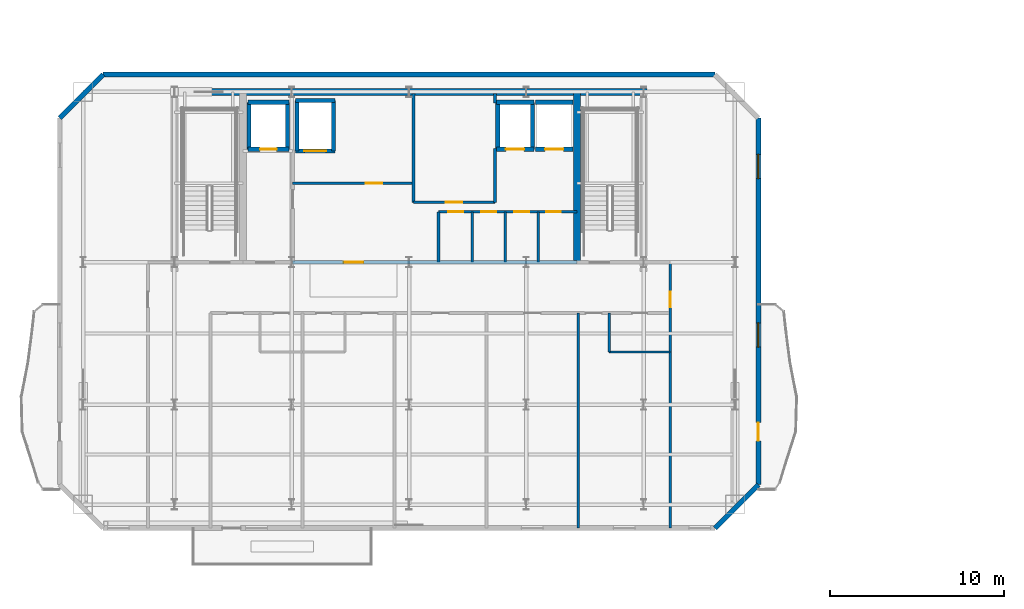
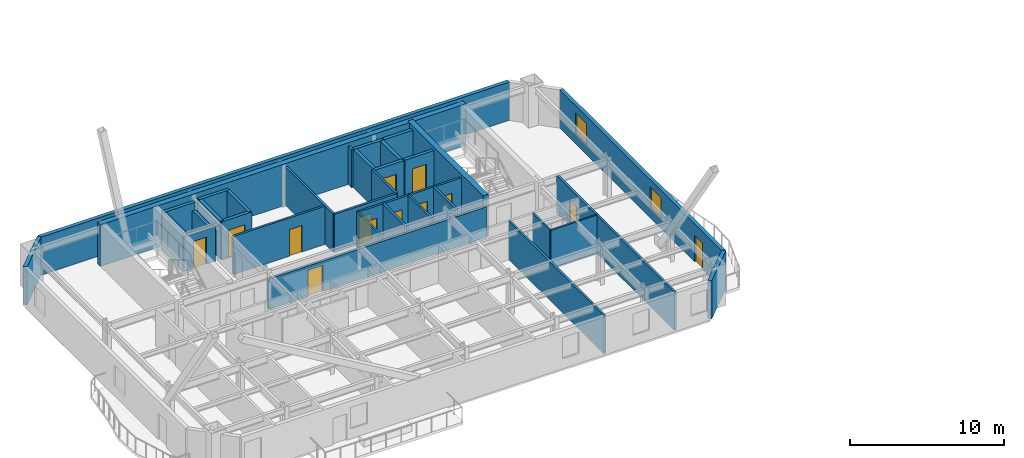
# One storey, part 6 of 14: 35 walls, 13 doors, 2 windows, 15 openings.
"""IFC4 building model written with IfcOpenShell, lengths in metres."""

from ifc_helpers import new_model, si_unit, direction, frame, frame_2d, origin, place, context, subcontext, project, spatial, rectangle, extrude, material, layer, layer_set, type_object, element, fill, save


model = new_model("IFC4")

# Units and contexts
model_context = context("Model", 3, precision=1e-05, world=origin(), true_north=direction((0.0, 1.0)))
body_context = subcontext(model_context, "Body", "Model", "MODEL_VIEW")
ifc_project = project(units=[si_unit("LENGTHUNIT", "METRE"), si_unit("AREAUNIT", "SQUARE_METRE"), si_unit("VOLUMEUNIT", "CUBIC_METRE"), si_unit("PLANEANGLEUNIT", "RADIAN"), si_unit("MASSUNIT", "GRAM", prefix="KILO")], contexts=[model_context])

# Site, building, storey
site_placement = place(None, origin())
site = spatial("IfcSite", under=ifc_project, at=site_placement, CompositionType="ELEMENT")
building_placement = place(site_placement, origin())
building = spatial("IfcBuilding", under=site, at=building_placement, Name="Haevon Station Towers", CompositionType="ELEMENT")
storey_placement = place(building_placement, frame((0.0, 0.0, 228.60009765625)))
storey = spatial("IfcBuildingStorey", under=building, at=storey_placement, Name="L63", CompositionType="ELEMENT", Elevation=228.60009765625)

# Wall, opening, door
ifc_material_1 = material(Name="Gypsum board on steel stud", Category="steel")
ifc_layer_1 = layer(ifc_material_1, 0.199951171875)
ifc_layer_set_1 = layer_set([ifc_layer_1], Name="Gypsum board on steel stud")
wall_type_1 = type_object("IfcWallType", Name="WL-COR200", PredefinedType="PARTITIONING", material=ifc_layer_set_1)
wall_1_placement = place(storey_placement, frame((30.800048828125, 38.199951171875, 0.0), z_axis=(0.0, 0.0, 1.0), x_axis=(1.0, 0.0, 0.0)))
wall_1 = element("IfcWall", 1, at=wall_1_placement, inside=storey, type_object=wall_type_1, Name="WL-T1CLB-L63", PredefinedType="PARTITIONING", context=body_context, shape_type="SweptSolid", body=[
    extrude(rectangle(XDim=16.349853515625, YDim=0.199951171875, at=frame_2d((8.1748046875, 0.0))), origin(), (0.0, 0.0, 1.0), 2.429931640625),
])
opening_1_placement = place(wall_1_placement, frame((2.949951171875, 0.0, 0.0)))
opening_1 = element("IfcOpeningElement", 2, at=opening_1_placement, cuts=wall_1, Name="Opening DR-T1CLB-L63-1", PredefinedType="OPENING", context=body_context, shape_type="SweptSolid", body=[
    extrude(rectangle(XDim=1.1201171875, YDim=2.10009765625, at=frame_2d((0.56005859375, 1.050048828125))), frame((0.0, 0.10986328125, 0.0), z_axis=(0.0, -1.0, 0.0), x_axis=(1.0, 0.0, 0.0)), (0.0, 0.0, 1.0), 0.219970703125),
])
ifc_material_2 = material(Name="Engineered oak timber", Category="wood")
door_type_1 = type_object("IfcDoorType", Name="DR-ST-1120", OperationType="NOTDEFINED", PredefinedType="DOOR", material=ifc_material_2)
door_1_placement = place(opening_1_placement, origin())
door_1 = element("IfcDoor", 3, at=door_1_placement, inside=storey, type_object=door_type_1, Name="L63 Tower 1 Core Lift Lobby Door 1", OperationType="SINGLE_SWING_RIGHT", OverallHeight=2.10009765625, OverallWidth=1.1201171875, PredefinedType="DOOR", context=body_context, shape_type="SweptSolid", body=[
    extrude(rectangle(XDim=1.1201171875, YDim=2.10009765625, at=frame_2d((0.56005859375, 1.050048828125))), frame((0.0, 0.02490234375, 0.0), z_axis=(0.0, -1.0, 0.0), x_axis=(1.0, 0.0, 0.0)), (0.0, 0.0, 1.0), 0.050048828125),
])
fill(opening_1, door_1)

# Walls
ifc_material_3 = material(Name="Concrete C60/75", Category="concrete")
ifc_layer_2 = layer(ifc_material_3, 0.39990234375)
ifc_layer_set_2 = layer_set([ifc_layer_2], Name="Concrete C60/75")
wall_type_2 = type_object("IfcWallType", Name="WL-CR400", PredefinedType="SHEAR", material=ifc_layer_set_2)
wall_2_placement = place(storey_placement, frame((23.800048828125, 48.0, 0.0), z_axis=(0.0, 0.0, 1.0), x_axis=(1.0, 0.0, 0.0)))
element("IfcWall", 4, at=wall_2_placement, inside=storey, type_object=wall_type_2, Name="WL-T1CR-L63-N", PredefinedType="SHEAR", context=body_context, shape_type="SweptSolid", body=[
    extrude(rectangle(XDim=27.39990234375, YDim=0.39990234375, at=frame_2d((13.699951171875, 0.0))), origin(), (0.0, 0.0, 1.0), 3.2998046875),
])
wall_3_placement = place(storey_placement, frame((47.14990234375, 38.199951171875, 0.0), z_axis=(0.0, 0.0, 1.0), x_axis=(0.0, 1.0, 0.0)))
element("IfcWall", 5, at=wall_3_placement, inside=storey, type_object=wall_type_2, Name="WL-T1CR-L63-M2", PredefinedType="SHEAR", context=body_context, shape_type="SweptSolid", body=[
    extrude(rectangle(XDim=9.800048828125, YDim=0.39990234375, at=frame_2d((4.89990234375, 0.0))), origin(), (0.0, 0.0, 1.0), 3.2998046875),
])
ifc_material_4 = material(Name="Precast concrete C45/55", Category="concrete")
ifc_layer_3 = layer(ifc_material_4, 0.280029296875)
ifc_layer_set_3 = layer_set([ifc_layer_3], Name="Precast concrete C45/55")
wall_type_3 = type_object("IfcWallType", Name="WL-EXT-PIER280", PredefinedType="SOLIDWALL", material=ifc_layer_set_3)
wall_4_placement = place(storey_placement, frame((17.39990234375, 46.5, 0.0), z_axis=(0.0, 0.0, 1.0), x_axis=(0.707106781187, 0.707106781187, 0.0)))
element("IfcWall", 6, at=wall_4_placement, inside=storey, type_object=wall_type_3, Name="WL-T1-L63-NWC", PredefinedType="SOLIDWALL", context=body_context, shape_type="SweptSolid", body=[
    extrude(rectangle(XDim=3.53564453125, YDim=0.280029296875, at=frame_2d((1.767822265625, 0.0))), origin(), (0.0, 0.0, 1.0), 3.02978515625),
])
wall_5_placement = place(storey_placement, frame((19.89990234375, 49.0, 0.0), z_axis=(0.0, 0.0, 1.0), x_axis=(1.0, 0.0, 0.0)))
element("IfcWall", 7, at=wall_5_placement, inside=storey, type_object=wall_type_3, Name="WL-T1-L63-N", PredefinedType="SOLIDWALL", context=body_context, shape_type="SweptSolid", body=[
    extrude(rectangle(XDim=35.2001953125, YDim=0.280029296875, at=frame_2d((17.60009765625, 0.0))), origin(), (0.0, 0.0, 1.0), 3.02978515625),
])

# Wall, openings, door, windows
wall_6_placement = place(storey_placement, frame((57.60009765625, 46.5, 0.0), z_axis=(0.0, 0.0, 1.0), x_axis=(0.0, -1.0, 0.0)))
wall_6 = element("IfcWall", 8, at=wall_6_placement, inside=storey, type_object=wall_type_3, Name="WL-T1-L63-E", PredefinedType="SOLIDWALL", context=body_context, shape_type="SweptSolid", body=[
    extrude(rectangle(XDim=21.10009765625, YDim=0.280029296875, at=frame_2d((10.550048828125, 0.0))), origin(), (0.0, 0.0, 1.0), 3.02978515625),
])
opening_2_placement = place(wall_6_placement, frame((17.52490234375, 0.0, 0.0)))
opening_2 = element("IfcOpeningElement", 9, at=opening_2_placement, cuts=wall_6, Name="Opening DR-T1-SCAL-L63-E", PredefinedType="OPENING", context=body_context, shape_type="SweptSolid", body=[
    extrude(rectangle(XDim=1.050048828125, YDim=2.10009765625, at=frame_2d((0.52490234375, 1.050048828125))), frame((0.0, 0.14990234375, 0.0), z_axis=(0.0, -1.0, 0.0), x_axis=(1.0, 0.0, 0.0)), (0.0, 0.0, 1.0), 0.300048828125),
])
opening_3_placement = place(wall_6_placement, frame((2.093017578125, 0.0, 0.800048828125)))
opening_3 = element("IfcOpeningElement", 10, at=opening_3_placement, cuts=wall_6, Name="Opening WN-END140", PredefinedType="OPENING", context=body_context, shape_type="SweptSolid", body=[
    extrude(rectangle(XDim=1.39990234375, YDim=1.64990234375, at=frame_2d((0.699951171875, 0.824951171875))), frame((0.0, 0.14990234375, 0.0), z_axis=(0.0, -1.0, 0.0), x_axis=(1.0, 0.0, 0.0)), (0.0, 0.0, 1.0), 0.300048828125),
])
opening_4_placement = place(wall_6_placement, frame((11.789306640625, 0.0, 0.800048828125)))
opening_4 = element("IfcOpeningElement", 11, at=opening_4_placement, cuts=wall_6, Name="Opening WN-END140", PredefinedType="OPENING", context=body_context, shape_type="SweptSolid", body=[
    extrude(rectangle(XDim=1.39990234375, YDim=1.64990234375, at=frame_2d((0.699951171875, 0.824951171875))), frame((0.0, 0.14990234375, 0.0), z_axis=(0.0, -1.0, 0.0), x_axis=(1.0, 0.0, 0.0)), (0.0, 0.0, 1.0), 0.300048828125),
])
ifc_material_5 = material(Name="Thermally broken anodised aluminium and laminated safety glass", Category="aluminium")
door_type_2 = type_object("IfcDoorType", Name="DR-BALC-1050", OperationType="NOTDEFINED", PredefinedType="DOOR", material=ifc_material_5)
door_2_placement = place(opening_2_placement, origin())
door_2 = element("IfcDoor", 12, at=door_2_placement, inside=storey, type_object=door_type_2, Name="Tower 1 L63 East Scalloped Balcony Door", OperationType="SINGLE_SWING_LEFT", OverallHeight=2.10009765625, OverallWidth=1.050048828125, PredefinedType="DOOR", context=body_context, shape_type="SweptSolid", body=[
    extrude(rectangle(XDim=1.050048828125, YDim=2.10009765625, at=frame_2d((0.52490234375, 1.050048828125))), frame((0.0, 0.02490234375, 0.0), z_axis=(0.0, -1.0, 0.0), x_axis=(1.0, 0.0, 0.0)), (0.0, 0.0, 1.0), 0.050048828125),
])
fill(opening_2, door_2)
ifc_material_6 = material(Name="Low-E triple glazing in thermally broken aluminium", Category="aluminium")
window_type = type_object("IfcWindowType", Name="WN-END140", PartitioningType="SINGLE_PANEL", PredefinedType="WINDOW", material=ifc_material_6)
window_1_placement = place(opening_3_placement, origin())
window_1 = element("IfcWindow", 13, at=window_1_placement, inside=storey, type_object=window_type, Name="WN-T1-L63-E01", OverallHeight=1.64990234375, OverallWidth=1.39990234375, PartitioningType="SINGLE_PANEL", PredefinedType="WINDOW", context=body_context, shape_type="SweptSolid", body=[
    extrude(rectangle(XDim=1.39990234375, YDim=1.64990234375, at=frame_2d((0.699951171875, 0.824951171875))), frame((0.0, 0.030029296875, 0.0), z_axis=(0.0, -1.0, 0.0), x_axis=(1.0, 0.0, 0.0)), (0.0, 0.0, 1.0), 0.06005859375),
])
fill(opening_3, window_1)
window_2_placement = place(opening_4_placement, origin())
window_2 = element("IfcWindow", 14, at=window_2_placement, inside=storey, type_object=window_type, Name="WN-T1-L63-E02", OverallHeight=1.64990234375, OverallWidth=1.39990234375, PartitioningType="SINGLE_PANEL", PredefinedType="WINDOW", context=body_context, shape_type="SweptSolid", body=[
    extrude(rectangle(XDim=1.39990234375, YDim=1.64990234375, at=frame_2d((0.699951171875, 0.824951171875))), frame((0.0, 0.030029296875, 0.0), z_axis=(0.0, -1.0, 0.0), x_axis=(1.0, 0.0, 0.0)), (0.0, 0.0, 1.0), 0.06005859375),
])
fill(opening_4, window_2)

# Walls
wall_7_placement = place(storey_placement, frame((57.60009765625, 25.39990234375, 0.0), z_axis=(0.0, 0.0, 1.0), x_axis=(-0.707106781187, -0.707106781187, 0.0)))
element("IfcWall", 15, at=wall_7_placement, inside=storey, type_object=wall_type_3, Name="WL-T1-L63-SEC", PredefinedType="SOLIDWALL", context=body_context, shape_type="SweptSolid", body=[
    extrude(rectangle(XDim=3.53564453125, YDim=0.280029296875, at=frame_2d((1.767822265625, 0.0))), origin(), (0.0, 0.0, 1.0), 3.02978515625),
])
ifc_layer_4 = layer(ifc_material_1, 0.125)
ifc_layer_set_4 = layer_set([ifc_layer_4], Name="Gypsum board on steel stud")
wall_type_4 = type_object("IfcWallType", Name="WL-PRT125", PredefinedType="PARTITIONING", material=ifc_layer_set_4)
wall_8_placement = place(storey_placement, frame((49.01611328125, 33.030029296875, 0.0), z_axis=(0.0, 0.0, 1.0), x_axis=(1.0, 0.0, 0.0)))
element("IfcWall", 16, at=wall_8_placement, inside=storey, type_object=wall_type_4, Name="WL-T1PT-L63-14", PredefinedType="PARTITIONING", context=body_context, shape_type="SweptSolid", body=[
    extrude(rectangle(XDim=3.5087890625, YDim=0.125, at=frame_2d((1.75439453125, 0.0))), origin(), (0.0, 0.0, 1.0), 3.02978515625),
])
wall_9_placement = place(storey_placement, frame((49.01611328125, 33.030029296875, 0.0), z_axis=(0.0, 0.0, 1.0), x_axis=(0.0, 1.0, 0.0)))
element("IfcWall", 17, at=wall_9_placement, inside=storey, type_object=wall_type_4, Name="WL-T1PT-L63-15", PredefinedType="PARTITIONING", context=body_context, shape_type="SweptSolid", body=[
    extrude(rectangle(XDim=2.25, YDim=0.125, at=frame_2d((1.125, 0.0))), origin(), (0.0, 0.0, 1.0), 3.02978515625),
])

# Wall, opening, door
ifc_layer_5 = layer(ifc_material_1, 0.159912109375)
ifc_layer_set_5 = layer_set([ifc_layer_5], Name="Gypsum board on steel stud")
wall_type_5 = type_object("IfcWallType", Name="WL-PRT160", PredefinedType="PARTITIONING", material=ifc_layer_set_5)
wall_10_placement = place(storey_placement, frame((30.800048828125, 42.75, 0.0), z_axis=(0.0, 0.0, 1.0), x_axis=(1.0, 0.0, 0.0)))
wall_10 = element("IfcWall", 18, at=wall_10_placement, inside=storey, type_object=wall_type_5, Name="WL-T1CW-L63-01", PredefinedType="PARTITIONING", context=body_context, shape_type="SweptSolid", body=[
    extrude(rectangle(XDim=6.949951171875, YDim=0.159912109375, at=frame_2d((3.47509765625, 0.0))), origin(), (0.0, 0.0, 1.0), 3.02978515625),
])
opening_5_placement = place(wall_10_placement, frame((4.199951171875, 0.0, 0.0)))
opening_5 = element("IfcOpeningElement", 19, at=opening_5_placement, cuts=wall_10, Name="Opening DR-WL-T1CW-L63-01-1", PredefinedType="OPENING", context=body_context, shape_type="SweptSolid", body=[
    extrude(rectangle(XDim=0.949951171875, YDim=2.10009765625, at=frame_2d((0.47509765625, 1.050048828125))), frame((0.0, 0.08984375, 0.0), z_axis=(0.0, -1.0, 0.0), x_axis=(1.0, 0.0, 0.0)), (0.0, 0.0, 1.0), 0.179931640625),
])
door_type_3 = type_object("IfcDoorType", Name="DR-FD60-950", OperationType="NOTDEFINED", PredefinedType="DOOR", material=ifc_material_2)
door_3_placement = place(opening_5_placement, origin())
door_3 = element("IfcDoor", 20, at=door_3_placement, inside=storey, type_object=door_type_3, Name="L63 Tower 1 Core Room Door 1-1", OperationType="SINGLE_SWING_LEFT", OverallHeight=2.10009765625, OverallWidth=0.949951171875, PredefinedType="DOOR", context=body_context, shape_type="SweptSolid", body=[
    extrude(rectangle(XDim=0.949951171875, YDim=2.10009765625, at=frame_2d((0.47509765625, 1.050048828125))), frame((0.0, 0.02490234375, 0.0), z_axis=(0.0, -1.0, 0.0), x_axis=(1.0, 0.0, 0.0)), (0.0, 0.0, 1.0), 0.050048828125),
])
fill(opening_5, door_3)

# Wall
wall_11_placement = place(storey_placement, frame((37.75, 41.64990234375, 0.0), z_axis=(0.0, 0.0, 1.0), x_axis=(0.0, 1.0, 0.0)))
element("IfcWall", 21, at=wall_11_placement, inside=storey, type_object=wall_type_5, Name="WL-T1CW-L63-02", PredefinedType="PARTITIONING", context=body_context, shape_type="SweptSolid", body=[
    extrude(rectangle(XDim=6.25, YDim=0.159912109375, at=frame_2d((3.125, 0.0))), origin(), (0.0, 0.0, 1.0), 3.02978515625),
])

# Wall, opening, door
wall_12_placement = place(storey_placement, frame((37.75, 41.64990234375, 0.0), z_axis=(0.0, 0.0, 1.0), x_axis=(1.0, 0.0, 0.0)))
wall_12 = element("IfcWall", 22, at=wall_12_placement, inside=storey, type_object=wall_type_5, Name="WL-T1CW-L63-03", PredefinedType="PARTITIONING", context=body_context, shape_type="SweptSolid", body=[
    extrude(rectangle(XDim=4.699951171875, YDim=0.159912109375, at=frame_2d((2.35009765625, 0.0))), origin(), (0.0, 0.0, 1.0), 3.02978515625),
])
opening_6_placement = place(wall_12_placement, frame((1.85009765625, 0.0, 0.0)))
opening_6 = element("IfcOpeningElement", 23, at=opening_6_placement, cuts=wall_12, Name="Opening DR-WL-T1CW-L63-03-1", PredefinedType="OPENING", context=body_context, shape_type="SweptSolid", body=[
    extrude(rectangle(XDim=0.949951171875, YDim=2.10009765625, at=frame_2d((0.47509765625, 1.050048828125))), frame((0.0, 0.08984375, 0.0), z_axis=(0.0, -1.0, 0.0), x_axis=(1.0, 0.0, 0.0)), (0.0, 0.0, 1.0), 0.179931640625),
])
door_4_placement = place(opening_6_placement, origin())
door_4 = element("IfcDoor", 24, at=door_4_placement, inside=storey, type_object=door_type_3, Name="L63 Tower 1 Core Room Door 3-1", OperationType="SINGLE_SWING_RIGHT", OverallHeight=2.10009765625, OverallWidth=0.949951171875, PredefinedType="DOOR", context=body_context, shape_type="SweptSolid", body=[
    extrude(rectangle(XDim=0.949951171875, YDim=2.10009765625, at=frame_2d((0.47509765625, 1.050048828125))), frame((0.0, 0.02490234375, 0.0), z_axis=(0.0, -1.0, 0.0), x_axis=(1.0, 0.0, 0.0)), (0.0, 0.0, 1.0), 0.050048828125),
])
fill(opening_6, door_4)

# Walls
wall_13_placement = place(storey_placement, frame((42.449951171875, 41.64990234375, 0.0), z_axis=(0.0, 0.0, 1.0), x_axis=(0.0, 1.0, 0.0)))
element("IfcWall", 25, at=wall_13_placement, inside=storey, type_object=wall_type_5, Name="WL-T1CW-L63-04", PredefinedType="PARTITIONING", context=body_context, shape_type="SweptSolid", body=[
    extrude(rectangle(XDim=3.10009765625, YDim=0.159912109375, at=frame_2d((1.550048828125, 0.0))), origin(), (0.0, 0.0, 1.0), 3.02978515625),
])
wall_14_placement = place(storey_placement, frame((42.449951171875, 47.35009765625, 0.0), z_axis=(0.0, 0.0, 1.0), x_axis=(0.0, 1.0, 0.0)))
element("IfcWall", 26, at=wall_14_placement, inside=storey, type_object=wall_type_5, Name="WL-T1CW-L63-05", PredefinedType="PARTITIONING", context=body_context, shape_type="SweptSolid", body=[
    extrude(rectangle(XDim=0.5498046875, YDim=0.159912109375, at=frame_2d((0.27490234375, 0.0))), origin(), (0.0, 0.0, 1.0), 3.02978515625),
])
for number, where, z_axis, x_axis, name in (
    (27, (39.199951171875, 38.199951171875, 0.0), (0.0, 0.0, 1.0), (0.0, 1.0, 0.0), "WL-T1CW-L63-06"),
    (28, (41.1298828125, 38.199951171875, 0.0), (0.0, 0.0, 1.0), (0.0, 1.0, 0.0), "WL-T1CW-L63-07"),
    (29, (43.030029296875, 38.199951171875, 0.0), (0.0, 0.0, 1.0), (0.0, 1.0, 0.0), "WL-T1CW-L63-08"),
    (30, (44.929931640625, 38.199951171875, 0.0), (0.0, 0.0, 1.0), (0.0, 1.0, 0.0), "WL-T1CW-L63-09"),
):
    element("IfcWall", number, at=place(storey_placement, frame(where, z_axis=z_axis, x_axis=x_axis)), inside=storey, type_object=wall_type_5, Name=name, PredefinedType="PARTITIONING", context=body_context, shape_type="SweptSolid", body=[
        extrude(rectangle(XDim=2.900146484375, YDim=0.159912109375, at=frame_2d((1.4501953125, 0.0))), origin(), (0.0, 0.0, 1.0), 3.02978515625),
    ])

# Wall, openings, doors
wall_15_placement = place(storey_placement, frame((39.199951171875, 41.10009765625, 0.0), z_axis=(0.0, 0.0, 1.0), x_axis=(1.0, 0.0, 0.0)))
wall_15 = element("IfcWall", 31, at=wall_15_placement, inside=storey, type_object=wall_type_5, Name="WL-T1CW-L63-10", PredefinedType="PARTITIONING", context=body_context, shape_type="SweptSolid", body=[
    extrude(rectangle(XDim=7.949951171875, YDim=0.159912109375, at=frame_2d((3.97509765625, 0.0))), origin(), (0.0, 0.0, 1.0), 3.02978515625),
])
opening_7_placement = place(wall_15_placement, frame((0.56005859375, 0.0, 0.0)))
opening_7 = element("IfcOpeningElement", 32, at=opening_7_placement, cuts=wall_15, Name="Opening DR-WL-T1CW-L63-10-1", PredefinedType="OPENING", context=body_context, shape_type="SweptSolid", body=[
    extrude(rectangle(XDim=0.85009765625, YDim=2.050048828125, at=frame_2d((0.425048828125, 1.02490234375))), frame((0.0, 0.08984375, 0.0), z_axis=(0.0, -1.0, 0.0), x_axis=(1.0, 0.0, 0.0)), (0.0, 0.0, 1.0), 0.179931640625),
])
opening_8_placement = place(wall_15_placement, frame((2.455078125, 0.0, 0.0)))
opening_8 = element("IfcOpeningElement", 33, at=opening_8_placement, cuts=wall_15, Name="Opening DR-WL-T1CW-L63-10-2", PredefinedType="OPENING", context=body_context, shape_type="SweptSolid", body=[
    extrude(rectangle(XDim=0.85009765625, YDim=2.050048828125, at=frame_2d((0.425048828125, 1.02490234375))), frame((0.0, 0.08984375, 0.0), z_axis=(0.0, -1.0, 0.0), x_axis=(1.0, 0.0, 0.0)), (0.0, 0.0, 1.0), 0.179931640625),
])
opening_9_placement = place(wall_15_placement, frame((4.35498046875, 0.0, 0.0)))
opening_9 = element("IfcOpeningElement", 34, at=opening_9_placement, cuts=wall_15, Name="Opening DR-WL-T1CW-L63-10-3", PredefinedType="OPENING", context=body_context, shape_type="SweptSolid", body=[
    extrude(rectangle(XDim=0.85009765625, YDim=2.050048828125, at=frame_2d((0.425048828125, 1.02490234375))), frame((0.0, 0.08984375, 0.0), z_axis=(0.0, -1.0, 0.0), x_axis=(1.0, 0.0, 0.0)), (0.0, 0.0, 1.0), 0.179931640625),
])
opening_10_placement = place(wall_15_placement, frame((6.179931640625, 0.0, 0.0)))
opening_10 = element("IfcOpeningElement", 35, at=opening_10_placement, cuts=wall_15, Name="Opening DR-WL-T1CW-L63-10-4", PredefinedType="OPENING", context=body_context, shape_type="SweptSolid", body=[
    extrude(rectangle(XDim=0.85009765625, YDim=2.050048828125, at=frame_2d((0.425048828125, 1.02490234375))), frame((0.0, 0.08984375, 0.0), z_axis=(0.0, -1.0, 0.0), x_axis=(1.0, 0.0, 0.0)), (0.0, 0.0, 1.0), 0.179931640625),
])
door_type_4 = type_object("IfcDoorType", Name="DR-FD30-850", OperationType="NOTDEFINED", PredefinedType="DOOR", material=ifc_material_2)
door_5_placement = place(opening_7_placement, origin())
door_5 = element("IfcDoor", 36, at=door_5_placement, inside=storey, type_object=door_type_4, Name="L63 Tower 1 Core Room Door 10-1", OperationType="SINGLE_SWING_LEFT", OverallHeight=2.050048828125, OverallWidth=0.85009765625, PredefinedType="DOOR", context=body_context, shape_type="SweptSolid", body=[
    extrude(rectangle(XDim=0.85009765625, YDim=2.050048828125, at=frame_2d((0.425048828125, 1.02490234375))), frame((0.0, 0.02490234375, 0.0), z_axis=(0.0, -1.0, 0.0), x_axis=(1.0, 0.0, 0.0)), (0.0, 0.0, 1.0), 0.050048828125),
])
fill(opening_7, door_5)
door_6_placement = place(opening_8_placement, origin())
door_6 = element("IfcDoor", 37, at=door_6_placement, inside=storey, type_object=door_type_4, Name="L63 Tower 1 Core Room Door 10-2", OperationType="SINGLE_SWING_RIGHT", OverallHeight=2.050048828125, OverallWidth=0.85009765625, PredefinedType="DOOR", context=body_context, shape_type="SweptSolid", body=[
    extrude(rectangle(XDim=0.85009765625, YDim=2.050048828125, at=frame_2d((0.425048828125, 1.02490234375))), frame((0.0, 0.02490234375, 0.0), z_axis=(0.0, -1.0, 0.0), x_axis=(1.0, 0.0, 0.0)), (0.0, 0.0, 1.0), 0.050048828125),
])
fill(opening_8, door_6)
door_7_placement = place(opening_9_placement, origin())
door_7 = element("IfcDoor", 38, at=door_7_placement, inside=storey, type_object=door_type_4, Name="L63 Tower 1 Core Room Door 10-3", OperationType="SINGLE_SWING_LEFT", OverallHeight=2.050048828125, OverallWidth=0.85009765625, PredefinedType="DOOR", context=body_context, shape_type="SweptSolid", body=[
    extrude(rectangle(XDim=0.85009765625, YDim=2.050048828125, at=frame_2d((0.425048828125, 1.02490234375))), frame((0.0, 0.02490234375, 0.0), z_axis=(0.0, -1.0, 0.0), x_axis=(1.0, 0.0, 0.0)), (0.0, 0.0, 1.0), 0.050048828125),
])
fill(opening_9, door_7)
door_8_placement = place(opening_10_placement, origin())
door_8 = element("IfcDoor", 39, at=door_8_placement, inside=storey, type_object=door_type_4, Name="L63 Tower 1 Core Room Door 10-4", OperationType="SINGLE_SWING_RIGHT", OverallHeight=2.050048828125, OverallWidth=0.85009765625, PredefinedType="DOOR", context=body_context, shape_type="SweptSolid", body=[
    extrude(rectangle(XDim=0.85009765625, YDim=2.050048828125, at=frame_2d((0.425048828125, 1.02490234375))), frame((0.0, 0.02490234375, 0.0), z_axis=(0.0, -1.0, 0.0), x_axis=(1.0, 0.0, 0.0)), (0.0, 0.0, 1.0), 0.050048828125),
])
fill(opening_10, door_8)

# Wall, opening, door
wall_16_placement = place(storey_placement, frame((52.52490234375, 22.89990234375, 0.0), z_axis=(0.0, 0.0, 1.0), x_axis=(0.0, 1.0, 0.0)))
wall_16 = element("IfcWall", 40, at=wall_16_placement, inside=storey, type_object=wall_type_5, Name="WL-T1PT-L63-05", PredefinedType="PARTITIONING", context=body_context, shape_type="SweptSolid", body=[
    extrude(rectangle(XDim=15.300048828125, YDim=0.159912109375, at=frame_2d((7.64990234375, 0.0))), origin(), (0.0, 0.0, 1.0), 3.02978515625),
])
opening_11_placement = place(wall_16_placement, frame((12.699951171875, 0.0, 0.0)))
opening_11 = element("IfcOpeningElement", 41, at=opening_11_placement, cuts=wall_16, Name="Opening DR-WL-T1PT-L63-05-01", PredefinedType="OPENING", context=body_context, shape_type="SweptSolid", body=[
    extrude(rectangle(XDim=0.89990234375, YDim=2.050048828125, at=frame_2d((0.449951171875, 1.02490234375))), frame((0.0, 0.08984375, 0.0), z_axis=(0.0, -1.0, 0.0), x_axis=(1.0, 0.0, 0.0)), (0.0, 0.0, 1.0), 0.179931640625),
])
door_type_5 = type_object("IfcDoorType", Name="DR-INT-900", OperationType="NOTDEFINED", PredefinedType="DOOR", material=ifc_material_2)
door_9_placement = place(opening_11_placement, origin())
door_9 = element("IfcDoor", 42, at=door_9_placement, inside=storey, type_object=door_type_5, Name="L63 Tower 1 Room Door 5-1", OperationType="SINGLE_SWING_RIGHT", OverallHeight=2.050048828125, OverallWidth=0.89990234375, PredefinedType="DOOR", context=body_context, shape_type="SweptSolid", body=[
    extrude(rectangle(XDim=0.89990234375, YDim=2.050048828125, at=frame_2d((0.449951171875, 1.02490234375))), frame((0.0, 0.02490234375, 0.0), z_axis=(0.0, -1.0, 0.0), x_axis=(1.0, 0.0, 0.0)), (0.0, 0.0, 1.0), 0.050048828125),
])
fill(opening_11, door_9)

# Wall
wall_17_placement = place(storey_placement, frame((47.236083984375, 22.89990234375, 0.0), z_axis=(0.0, 0.0, 1.0), x_axis=(0.0, 1.0, 0.0)))
element("IfcWall", 43, at=wall_17_placement, inside=storey, type_object=wall_type_5, Name="WL-T1PT-L63-13", PredefinedType="PARTITIONING", context=body_context, shape_type="SweptSolid", body=[
    extrude(rectangle(XDim=12.380126953125, YDim=0.159912109375, at=frame_2d((6.18994140625, 0.0))), origin(), (0.0, 0.0, 1.0), 3.02978515625),
])

# Wall, opening, door
ifc_material_7 = material(Name="Concrete C40/50", Category="concrete")
ifc_layer_6 = layer(ifc_material_7, 0.239990234375)
ifc_layer_set_6 = layer_set([ifc_layer_6], Name="Concrete C40/50")
wall_type_6 = type_object("IfcWallType", Name="WL-SHF240", PredefinedType="PARTITIONING", material=ifc_layer_set_6)
wall_18_placement = place(storey_placement, frame((28.219970703125, 44.699951171875, 0.0), z_axis=(0.0, 0.0, 1.0), x_axis=(1.0, 0.0, 0.0)))
wall_18 = element("IfcWall", 44, at=wall_18_placement, inside=storey, type_object=wall_type_6, Name="WL-SHF-FL1-L63", PredefinedType="PARTITIONING", context=body_context, shape_type="SweptSolid", body=[
    extrude(rectangle(XDim=2.360107421875, YDim=0.239990234375, at=frame_2d((1.18017578125, 0.0))), origin(), (0.0, 0.0, 1.0), 2.72998046875),
])
opening_12_placement = place(wall_18_placement, frame((0.705078125, 0.0, 0.0)))
opening_12 = element("IfcOpeningElement", 45, at=opening_12_placement, cuts=wall_18, Name="Opening LD-FL1-L63", PredefinedType="OPENING", context=body_context, shape_type="SweptSolid", body=[
    extrude(rectangle(XDim=0.949951171875, YDim=2.14990234375, at=frame_2d((0.47509765625, 1.074951171875))), frame((0.0, 0.1298828125, 0.0), z_axis=(0.0, -1.0, 0.0), x_axis=(1.0, 0.0, 0.0)), (0.0, 0.0, 1.0), 0.260009765625),
])
ifc_material_8 = material(Name="Stainless steel and rated core", Category="steel")
door_type_6 = type_object("IfcDoorType", Name="LD-FL950", OperationType="SLIDING_TO_LEFT", PredefinedType="DOOR", material=ifc_material_8)
door_10_placement = place(opening_12_placement, origin())
door_10 = element("IfcDoor", 46, at=door_10_placement, inside=storey, type_object=door_type_6, Name="L63 Lift FL1 Sliding Landing Door", OperationType="SLIDING_TO_LEFT", OverallHeight=2.14990234375, OverallWidth=0.949951171875, PredefinedType="DOOR", context=body_context, shape_type="SweptSolid", body=[
    extrude(rectangle(XDim=0.949951171875, YDim=2.14990234375, at=frame_2d((0.47509765625, 1.074951171875))), frame((0.0, 0.02490234375, 0.0), z_axis=(0.0, -1.0, 0.0), x_axis=(1.0, 0.0, 0.0)), (0.0, 0.0, 1.0), 0.050048828125),
])
fill(opening_12, door_10)

# Walls
wall_19_placement = place(storey_placement, frame((28.219970703125, 47.39990234375, 0.0), z_axis=(0.0, 0.0, 1.0), x_axis=(1.0, 0.0, 0.0)))
element("IfcWall", 47, at=wall_19_placement, inside=storey, type_object=wall_type_6, Name="WL-SHF-FL1-L63-N", PredefinedType="PARTITIONING", context=body_context, shape_type="SweptSolid", body=[
    extrude(rectangle(XDim=2.360107421875, YDim=0.239990234375, at=frame_2d((1.18017578125, 0.0))), origin(), (0.0, 0.0, 1.0), 3.02978515625),
])
wall_20_placement = place(storey_placement, frame((28.300048828125, 44.699951171875, 0.0), z_axis=(0.0, 0.0, 1.0), x_axis=(0.0, 1.0, 0.0)))
element("IfcWall", 48, at=wall_20_placement, inside=storey, type_object=wall_type_6, Name="WL-SHF-FL1-L63-W", PredefinedType="PARTITIONING", context=body_context, shape_type="SweptSolid", body=[
    extrude(rectangle(XDim=2.699951171875, YDim=0.239990234375, at=frame_2d((1.35009765625, 0.0))), origin(), (0.0, 0.0, 1.0), 3.02978515625),
])
wall_21_placement = place(storey_placement, frame((30.5, 44.699951171875, 0.0), z_axis=(0.0, 0.0, 1.0), x_axis=(0.0, 1.0, 0.0)))
element("IfcWall", 49, at=wall_21_placement, inside=storey, type_object=wall_type_6, Name="WL-SHF-FL1-L63-E", PredefinedType="PARTITIONING", context=body_context, shape_type="SweptSolid", body=[
    extrude(rectangle(XDim=2.699951171875, YDim=0.239990234375, at=frame_2d((1.35009765625, 0.0))), origin(), (0.0, 0.0, 1.0), 2.429931640625),
])

# Wall, opening, door
wall_22_placement = place(storey_placement, frame((30.969970703125, 44.60009765625, 0.0), z_axis=(0.0, 0.0, 1.0), x_axis=(1.0, 0.0, 0.0)))
wall_22 = element("IfcWall", 50, at=wall_22_placement, inside=storey, type_object=wall_type_6, Name="WL-SHF-SL1-L63", PredefinedType="PARTITIONING", context=body_context, shape_type="SweptSolid", body=[
    extrude(rectangle(XDim=2.260009765625, YDim=0.239990234375, at=frame_2d((1.1298828125, 0.0))), origin(), (0.0, 0.0, 1.0), 3.02978515625),
])
opening_13_placement = place(wall_22_placement, frame((0.5048828125, 0.0, 0.0)))
opening_13 = element("IfcOpeningElement", 51, at=opening_13_placement, cuts=wall_22, Name="Opening LD-SL1-L63", PredefinedType="OPENING", context=body_context, shape_type="SweptSolid", body=[
    extrude(rectangle(XDim=1.25, YDim=2.199951171875, at=frame_2d((0.625, 1.10009765625))), frame((0.0, 0.1298828125, 0.0), z_axis=(0.0, -1.0, 0.0), x_axis=(1.0, 0.0, 0.0)), (0.0, 0.0, 1.0), 0.260009765625),
])
door_type_7 = type_object("IfcDoorType", Name="LD-SL1250", OperationType="SLIDING_TO_LEFT", PredefinedType="DOOR", material=ifc_material_8)
door_11_placement = place(opening_13_placement, origin())
door_11 = element("IfcDoor", 52, at=door_11_placement, inside=storey, type_object=door_type_7, Name="L63 Lift SL1 Sliding Landing Door", OperationType="SLIDING_TO_LEFT", OverallHeight=2.199951171875, OverallWidth=1.25, PredefinedType="DOOR", context=body_context, shape_type="SweptSolid", body=[
    extrude(rectangle(XDim=1.25, YDim=2.199951171875, at=frame_2d((0.625, 1.10009765625))), frame((0.0, 0.02490234375, 0.0), z_axis=(0.0, -1.0, 0.0), x_axis=(1.0, 0.0, 0.0)), (0.0, 0.0, 1.0), 0.050048828125),
])
fill(opening_13, door_11)

# Walls
wall_23_placement = place(storey_placement, frame((30.969970703125, 47.5, 0.0), z_axis=(0.0, 0.0, 1.0), x_axis=(1.0, 0.0, 0.0)))
element("IfcWall", 53, at=wall_23_placement, inside=storey, type_object=wall_type_6, Name="WL-SHF-SL1-L63-N", PredefinedType="PARTITIONING", context=body_context, shape_type="SweptSolid", body=[
    extrude(rectangle(XDim=2.260009765625, YDim=0.239990234375, at=frame_2d((1.1298828125, 0.0))), origin(), (0.0, 0.0, 1.0), 3.02978515625),
])
for number, where, z_axis, x_axis, name in (
    (54, (31.050048828125, 44.60009765625, 0.0), (0.0, 0.0, 1.0), (0.0, 1.0, 0.0), "WL-SHF-SL1-L63-W"),
    (55, (33.14990234375, 44.60009765625, 0.0), (0.0, 0.0, 1.0), (0.0, 1.0, 0.0), "WL-SHF-SL1-L63-E"),
):
    element("IfcWall", number, at=place(storey_placement, frame(where, z_axis=z_axis, x_axis=x_axis)), inside=storey, type_object=wall_type_6, Name=name, PredefinedType="PARTITIONING", context=body_context, shape_type="SweptSolid", body=[
        extrude(rectangle(XDim=2.89990234375, YDim=0.239990234375, at=frame_2d((1.449951171875, 0.0))), origin(), (0.0, 0.0, 1.0), 3.02978515625),
    ])

# Wall, opening, door
wall_24_placement = place(storey_placement, frame((42.52001953125, 44.699951171875, 0.0), z_axis=(0.0, 0.0, 1.0), x_axis=(1.0, 0.0, 0.0)))
wall_24 = element("IfcWall", 56, at=wall_24_placement, inside=storey, type_object=wall_type_6, Name="WL-SHF-PL5-L63", PredefinedType="PARTITIONING", context=body_context, shape_type="SweptSolid", body=[
    extrude(rectangle(XDim=2.159912109375, YDim=0.239990234375, at=frame_2d((1.080078125, 0.0))), origin(), (0.0, 0.0, 1.0), 3.02978515625),
])
opening_14_placement = place(wall_24_placement, frame((0.554931640625, 0.0, 0.0)))
opening_14 = element("IfcOpeningElement", 57, at=opening_14_placement, cuts=wall_24, Name="Opening LD-PL5-L63", PredefinedType="OPENING", context=body_context, shape_type="SweptSolid", body=[
    extrude(rectangle(XDim=1.050048828125, YDim=2.14990234375, at=frame_2d((0.52490234375, 1.074951171875))), frame((0.0, 0.1298828125, 0.0), z_axis=(0.0, -1.0, 0.0), x_axis=(1.0, 0.0, 0.0)), (0.0, 0.0, 1.0), 0.260009765625),
])
door_type_8 = type_object("IfcDoorType", Name="LD-PL1050", OperationType="SLIDING_TO_LEFT", PredefinedType="DOOR", material=ifc_material_8)
door_12_placement = place(opening_14_placement, origin())
door_12 = element("IfcDoor", 58, at=door_12_placement, inside=storey, type_object=door_type_8, Name="L63 Lift PL5 Sliding Landing Door", OperationType="SLIDING_TO_LEFT", OverallHeight=2.14990234375, OverallWidth=1.050048828125, PredefinedType="DOOR", context=body_context, shape_type="SweptSolid", body=[
    extrude(rectangle(XDim=1.050048828125, YDim=2.14990234375, at=frame_2d((0.52490234375, 1.074951171875))), frame((0.0, 0.02490234375, 0.0), z_axis=(0.0, -1.0, 0.0), x_axis=(1.0, 0.0, 0.0)), (0.0, 0.0, 1.0), 0.050048828125),
])
fill(opening_14, door_12)

# Walls
wall_25_placement = place(storey_placement, frame((42.52001953125, 47.39990234375, 0.0), z_axis=(0.0, 0.0, 1.0), x_axis=(1.0, 0.0, 0.0)))
element("IfcWall", 59, at=wall_25_placement, inside=storey, type_object=wall_type_6, Name="WL-SHF-PL5-L63-N", PredefinedType="PARTITIONING", context=body_context, shape_type="SweptSolid", body=[
    extrude(rectangle(XDim=2.159912109375, YDim=0.239990234375, at=frame_2d((1.080078125, 0.0))), origin(), (0.0, 0.0, 1.0), 3.02978515625),
])
for number, where, z_axis, x_axis, name in (
    (60, (42.60009765625, 44.699951171875, 0.0), (0.0, 0.0, 1.0), (0.0, 1.0, 0.0), "WL-SHF-PL5-L63-W"),
    (61, (44.60009765625, 44.699951171875, 0.0), (0.0, 0.0, 1.0), (0.0, 1.0, 0.0), "WL-SHF-PL5-L63-E"),
):
    element("IfcWall", number, at=place(storey_placement, frame(where, z_axis=z_axis, x_axis=x_axis)), inside=storey, type_object=wall_type_6, Name=name, PredefinedType="PARTITIONING", context=body_context, shape_type="SweptSolid", body=[
        extrude(rectangle(XDim=2.699951171875, YDim=0.239990234375, at=frame_2d((1.35009765625, 0.0))), origin(), (0.0, 0.0, 1.0), 3.02978515625),
    ])

# Wall, opening, door
wall_26_placement = place(storey_placement, frame((44.77001953125, 44.699951171875, 0.0), z_axis=(0.0, 0.0, 1.0), x_axis=(1.0, 0.0, 0.0)))
wall_26 = element("IfcWall", 62, at=wall_26_placement, inside=storey, type_object=wall_type_6, Name="WL-SHF-PL6-L63", PredefinedType="PARTITIONING", context=body_context, shape_type="SweptSolid", body=[
    extrude(rectangle(XDim=2.159912109375, YDim=0.239990234375, at=frame_2d((1.080078125, 0.0))), origin(), (0.0, 0.0, 1.0), 3.02978515625),
])
opening_15_placement = place(wall_26_placement, frame((0.554931640625, 0.0, 0.0)))
opening_15 = element("IfcOpeningElement", 63, at=opening_15_placement, cuts=wall_26, Name="Opening LD-PL6-L63", PredefinedType="OPENING", context=body_context, shape_type="SweptSolid", body=[
    extrude(rectangle(XDim=1.050048828125, YDim=2.14990234375, at=frame_2d((0.52490234375, 1.074951171875))), frame((0.0, 0.1298828125, 0.0), z_axis=(0.0, -1.0, 0.0), x_axis=(1.0, 0.0, 0.0)), (0.0, 0.0, 1.0), 0.260009765625),
])
door_13_placement = place(opening_15_placement, origin())
door_13 = element("IfcDoor", 64, at=door_13_placement, inside=storey, type_object=door_type_8, Name="L63 Lift PL6 Sliding Landing Door", OperationType="SLIDING_TO_LEFT", OverallHeight=2.14990234375, OverallWidth=1.050048828125, PredefinedType="DOOR", context=body_context, shape_type="SweptSolid", body=[
    extrude(rectangle(XDim=1.050048828125, YDim=2.14990234375, at=frame_2d((0.52490234375, 1.074951171875))), frame((0.0, 0.02490234375, 0.0), z_axis=(0.0, -1.0, 0.0), x_axis=(1.0, 0.0, 0.0)), (0.0, 0.0, 1.0), 0.050048828125),
])
fill(opening_15, door_13)

# Wall
wall_27_placement = place(storey_placement, frame((44.77001953125, 47.39990234375, 0.0), z_axis=(0.0, 0.0, 1.0), x_axis=(1.0, 0.0, 0.0)))
element("IfcWall", 65, at=wall_27_placement, inside=storey, type_object=wall_type_6, Name="WL-SHF-PL6-L63-N", PredefinedType="PARTITIONING", context=body_context, shape_type="SweptSolid", body=[
    extrude(rectangle(XDim=2.159912109375, YDim=0.239990234375, at=frame_2d((1.080078125, 0.0))), origin(), (0.0, 0.0, 1.0), 3.02978515625),
])

save(model, "model.ifc")
